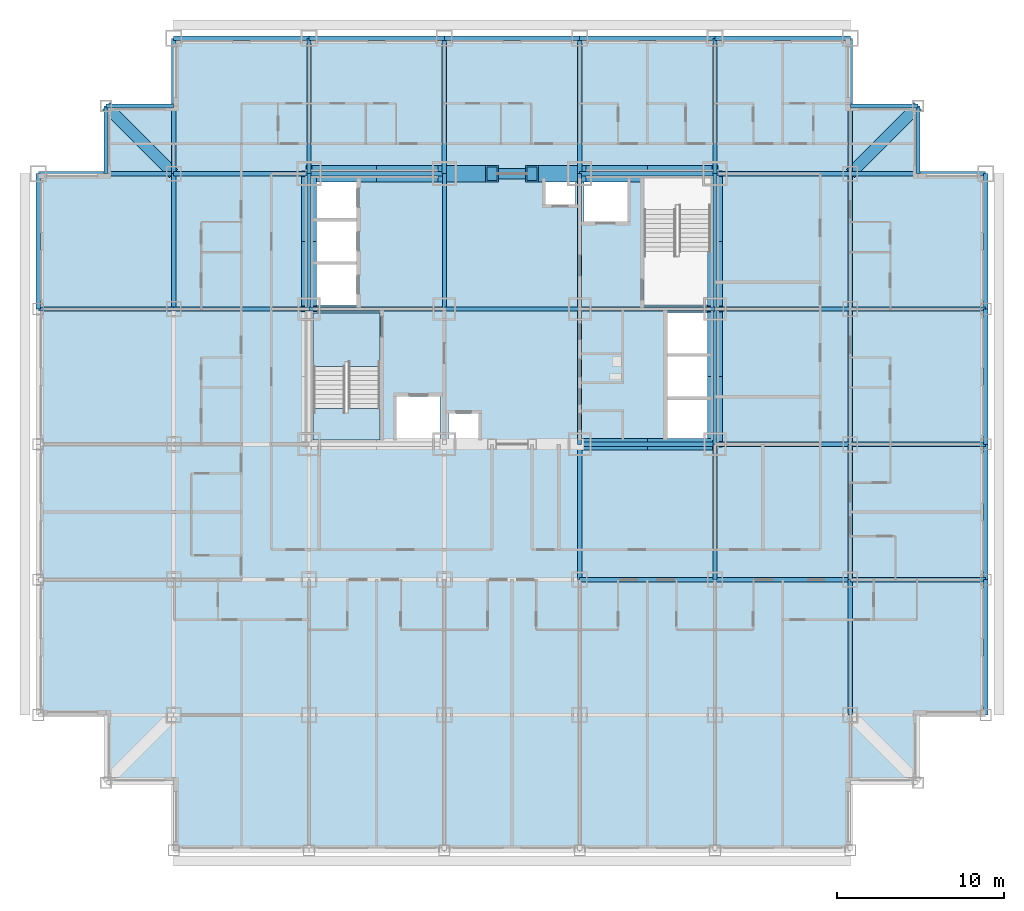
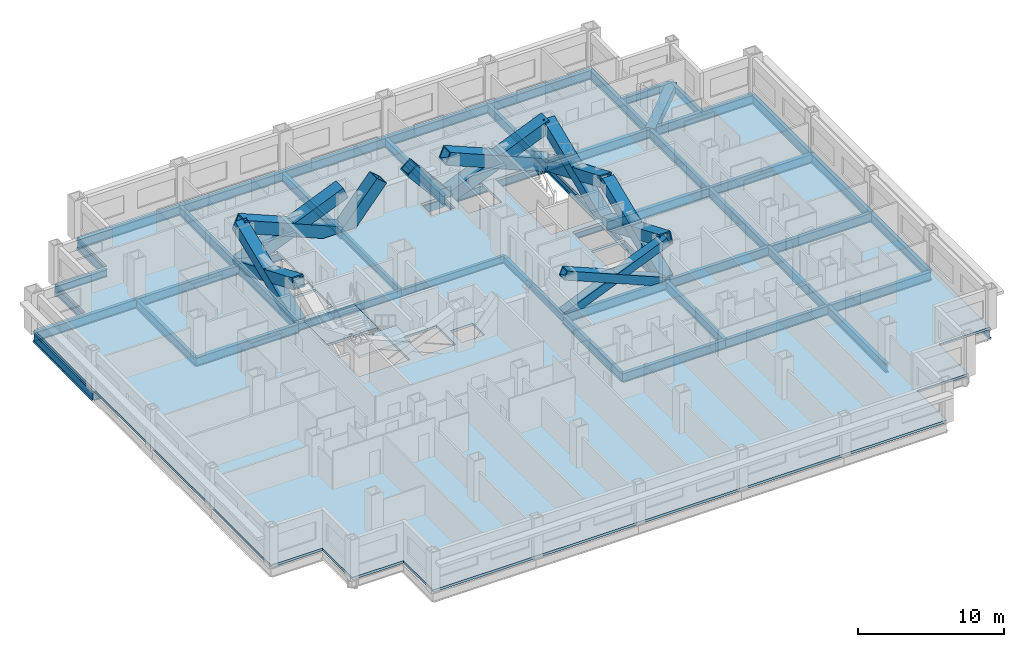
# One storey, part 2 of 12: 55 beams, 14 members, 3 slabs, 1 element without a shape of its own.
"""IFC4 building model written with IfcOpenShell, lengths in metres."""

from ifc_helpers import new_model, si_unit, direction, frame, origin, origin_2d, place, context, subcontext, project, spatial, polyline, hollow_rectangle, i_section, outline, extrude, material, layer, layer_set, material_profile, profile_set, type_object, element, aggregate, save


model = new_model("IFC4")

# Units and contexts
model_context = context("Model", 3, precision=1e-05, world=origin(), true_north=direction((0.0, 1.0)))
body_context = subcontext(model_context, "Body", "Model", "MODEL_VIEW")
ifc_project = project(units=[si_unit("LENGTHUNIT", "METRE"), si_unit("AREAUNIT", "SQUARE_METRE"), si_unit("VOLUMEUNIT", "CUBIC_METRE"), si_unit("PLANEANGLEUNIT", "RADIAN"), si_unit("MASSUNIT", "GRAM", prefix="KILO")], contexts=[model_context])

# Site, building, storey
site_placement = place(None, origin())
site = spatial("IfcSite", under=ifc_project, at=site_placement, CompositionType="ELEMENT")
building_placement = place(site_placement, origin())
building = spatial("IfcBuilding", under=site, at=building_placement, Name="Kopane Lantern Tower", CompositionType="ELEMENT")
storey_placement = place(building_placement, frame((0.0, 0.0, 80.60009765625)))
storey = spatial("IfcBuildingStorey", under=building, at=storey_placement, Name="L20", CompositionType="ELEMENT", Elevation=80.60009765625)

# Members
ifc_material_1 = material(Name="Steel S355JR", Category="steel")
ifc_material_profile_1 = material_profile(ifc_material_1, hollow_rectangle(XDim=1.0, YDim=1.0, WallThickness=0.10009765625, at=origin_2d()), Name="BOX 1000x1000x100")
ifc_profile_set_1 = profile_set([ifc_material_profile_1], Name="Steel S355JR")
member_type_1 = type_object("IfcMemberType", Name="BRACE BOX 1000x1000x100", PredefinedType="BRACE", material=ifc_profile_set_1)
for number, where, z_axis, x_axis, name in (
    (1, (16.199951171875, 40.5, -0.210205078125), (0.92205908274, 0.0, 0.387049154419), (0.0, 1.0, 0.0), "Core brace L20"),
    (2, (24.300048828125, 40.5, -0.210205078125), (-0.92205908274, 0.0, 0.387049154419), (0.0, -1.0, 0.0), "Core brace L20"),
):
    element("IfcMember", number, at=place(storey_placement, frame(where, z_axis=z_axis, x_axis=x_axis)), inside=storey, type_object=member_type_1, Name=name, PredefinedType="BRACE", context=body_context, shape_type="SweptSolid", body=[
        extrude(hollow_rectangle(XDim=1.0, YDim=1.0, WallThickness=0.10009765625, at=origin_2d()), origin(), (0.0, 0.0, 1.0), 8.784912109375),
    ])
for number, where, z_axis, x_axis, name in (
    (3, (24.300048828125, 40.5, -0.210205078125), (0.642363165114, 0.0, 0.766400394118), (0.0, 1.0, 0.0), "Core brace L20"),
    (4, (32.39990234375, 40.5, -0.210205078125), (-0.642363165114, 0.0, 0.766400394118), (0.0, -1.0, 0.0), "Core brace L20"),
):
    element("IfcMember", number, at=place(storey_placement, frame(where, z_axis=z_axis, x_axis=x_axis)), inside=storey, type_object=member_type_1, Name=name, PredefinedType="BRACE", context=body_context, shape_type="SweptSolid", body=[
        extrude(hollow_rectangle(XDim=1.0, YDim=1.0, WallThickness=0.10009765625, at=origin_2d()), origin(), (0.0, 0.0, 1.0), 4.4365234375),
    ])
for number, where, z_axis, x_axis, name in (
    (5, (32.39990234375, 40.5, -0.210205078125), (0.92205908274, 0.0, 0.387049154419), (0.0, 1.0, 0.0), "Core brace L20"),
    (6, (40.5, 40.5, -0.210205078125), (-0.92205908274, 0.0, 0.387049154419), (0.0, -1.0, 0.0), "Core brace L20"),
):
    element("IfcMember", number, at=place(storey_placement, frame(where, z_axis=z_axis, x_axis=x_axis)), inside=storey, type_object=member_type_1, Name=name, PredefinedType="BRACE", context=body_context, shape_type="SweptSolid", body=[
        extrude(hollow_rectangle(XDim=1.0, YDim=1.0, WallThickness=0.10009765625, at=origin_2d()), origin(), (0.0, 0.0, 1.0), 8.784912109375),
    ])
ifc_material_2 = material(Name="Steel S355JR", Category="steel")
ifc_material_profile_2 = material_profile(ifc_material_2, hollow_rectangle(XDim=0.699951171875, YDim=0.699951171875, WallThickness=0.06005859375, at=origin_2d()), Name="BOX 700x700x60")
ifc_profile_set_2 = profile_set([ifc_material_profile_2], Name="Steel S355JR")
member_type_2 = type_object("IfcMemberType", Name="BRACE BOX 700x700x60", PredefinedType="BRACE", material=ifc_profile_set_2)
for number, where, z_axis, x_axis, name in (
    (7, (32.39990234375, 24.300048828125, -0.210205078125), (0.92205908274, 0.0, 0.387049154419), (0.0, 1.0, 0.0), "Core brace L20"),
    (8, (40.5, 24.300048828125, -0.210205078125), (-0.92205908274, 0.0, 0.387049154419), (0.0, -1.0, 0.0), "Core brace L20"),
):
    element("IfcMember", number, at=place(storey_placement, frame(where, z_axis=z_axis, x_axis=x_axis)), inside=storey, type_object=member_type_2, Name=name, PredefinedType="BRACE", context=body_context, shape_type="SweptSolid", body=[
        extrude(hollow_rectangle(XDim=0.699951171875, YDim=0.699951171875, WallThickness=0.06005859375, at=origin_2d()), origin(), (0.0, 0.0, 1.0), 8.784912109375),
    ])
ifc_material_3 = material(Name="Steel S355JR", Category="steel")
ifc_material_profile_3 = material_profile(ifc_material_3, hollow_rectangle(XDim=0.89990234375, YDim=0.89990234375, WallThickness=0.090087890625, at=origin_2d()), Name="BOX 900x900x90")
ifc_profile_set_3 = profile_set([ifc_material_profile_3], Name="Steel S355JR")
member_type_3 = type_object("IfcMemberType", Name="BRACE BOX 900x900x90", PredefinedType="BRACE", material=ifc_profile_set_3)
for number, where, z_axis, x_axis, name in (
    (9, (16.199951171875, 32.39990234375, -0.210205078125), (0.0, 0.92205908274, 0.387049154419), (-1.0, 0.0, 0.0), "Core brace L20"),
    (10, (16.199951171875, 40.5, -0.210205078125), (0.0, -0.92205908274, 0.387049154419), (1.0, 0.0, 0.0), "Core brace L20"),
):
    element("IfcMember", number, at=place(storey_placement, frame(where, z_axis=z_axis, x_axis=x_axis)), inside=storey, type_object=member_type_3, Name=name, PredefinedType="BRACE", context=body_context, shape_type="SweptSolid", body=[
        extrude(hollow_rectangle(XDim=0.89990234375, YDim=0.89990234375, WallThickness=0.090087890625, at=origin_2d()), origin(), (0.0, 0.0, 1.0), 8.784912109375),
    ])
for number, where, z_axis, x_axis, name in (
    (11, (40.5, 24.300048828125, -0.210205078125), (0.0, 0.92205491925, 0.387059072864), (-1.0, 0.0, 0.0), "Core brace L20"),
    (12, (40.5, 32.39990234375, -0.210205078125), (0.0, -0.92205491925, 0.387059072864), (1.0, 0.0, 0.0), "Core brace L20"),
):
    element("IfcMember", number, at=place(storey_placement, frame(where, z_axis=z_axis, x_axis=x_axis)), inside=storey, type_object=member_type_3, Name=name, PredefinedType="BRACE", context=body_context, shape_type="SweptSolid", body=[
        extrude(hollow_rectangle(XDim=0.89990234375, YDim=0.89990234375, WallThickness=0.090087890625, at=origin_2d()), origin(), (0.0, 0.0, 1.0), 8.78466796875),
    ])
for number, where, z_axis, x_axis, name in (
    (13, (40.5, 32.39990234375, -0.210205078125), (0.0, 0.92205908274, 0.387049154419), (-1.0, 0.0, 0.0), "Core brace L20"),
    (14, (40.5, 40.5, -0.210205078125), (0.0, -0.92205908274, 0.387049154419), (1.0, 0.0, 0.0), "Core brace L20"),
):
    element("IfcMember", number, at=place(storey_placement, frame(where, z_axis=z_axis, x_axis=x_axis)), inside=storey, type_object=member_type_3, Name=name, PredefinedType="BRACE", context=body_context, shape_type="SweptSolid", body=[
        extrude(hollow_rectangle(XDim=0.89990234375, YDim=0.89990234375, WallThickness=0.090087890625, at=origin_2d()), origin(), (0.0, 0.0, 1.0), 8.784912109375),
    ])

# Beams
ifc_material_4 = material(Name="Steel S355JR", Category="steel")
ifc_material_profile_4 = material_profile(ifc_material_4, i_section(OverallWidth=0.22900390625, OverallDepth=0.6123046875, WebThickness=0.011962890625, FlangeThickness=0.01953125, FilletRadius=0.0126953125, at=origin_2d()), Name="UB 610x229x125")
ifc_profile_set_4 = profile_set([ifc_material_profile_4], Name="Steel S355JR")
beam_type_1 = type_object("IfcBeamType", Name="CORE BEAM UB 610x229x125", PredefinedType="BEAM", material=ifc_profile_set_4)
for number, where, z_axis, x_axis, name in (
    (15, (16.199951171875, 32.39990234375, -0.51611328125), (1.0, 0.0, 0.0), (0.0, 1.0, 0.0), "Core Beam L20"),
    (16, (24.300048828125, 32.39990234375, -0.51611328125), (0.0, 1.0, 0.0), (-1.0, 0.0, 0.0), "Core Beam L20"),
):
    element("IfcBeam", number, at=place(storey_placement, frame(where, z_axis=z_axis, x_axis=x_axis)), inside=storey, type_object=beam_type_1, Name=name, PredefinedType="BEAM", context=body_context, shape_type="SweptSolid", body=[
        extrude(i_section(OverallWidth=0.22900390625, OverallDepth=0.6123046875, WebThickness=0.011962890625, FlangeThickness=0.01953125, FilletRadius=0.0126953125, at=origin_2d()), origin(), (0.0, 0.0, 1.0), 8.10009765625),
    ])
for number, where, z_axis, x_axis, name in (
    (17, (24.300048828125, 32.39990234375, -0.51611328125), (1.0, 0.0, 0.0), (0.0, 1.0, 0.0), "Core Beam L20"),
    (18, (32.39990234375, 24.300048828125, -0.51611328125), (0.0, 1.0, 0.0), (-1.0, 0.0, 0.0), "Core Beam L20"),
):
    element("IfcBeam", number, at=place(storey_placement, frame(where, z_axis=z_axis, x_axis=x_axis)), inside=storey, type_object=beam_type_1, Name=name, PredefinedType="BEAM", context=body_context, shape_type="SweptSolid", body=[
        extrude(i_section(OverallWidth=0.22900390625, OverallDepth=0.6123046875, WebThickness=0.011962890625, FlangeThickness=0.01953125, FilletRadius=0.0126953125, at=origin_2d()), origin(), (0.0, 0.0, 1.0), 8.099853515625),
    ])
for number, where, z_axis, x_axis, name in (
    (19, (32.39990234375, 32.39990234375, -0.51611328125), (0.0, 1.0, 0.0), (-1.0, 0.0, 0.0), "Core Beam L20"),
    (20, (32.39990234375, 32.39990234375, -0.51611328125), (1.0, 0.0, 0.0), (0.0, 1.0, 0.0), "Core Beam L20"),
):
    element("IfcBeam", number, at=place(storey_placement, frame(where, z_axis=z_axis, x_axis=x_axis)), inside=storey, type_object=beam_type_1, Name=name, PredefinedType="BEAM", context=body_context, shape_type="SweptSolid", body=[
        extrude(i_section(OverallWidth=0.22900390625, OverallDepth=0.6123046875, WebThickness=0.011962890625, FlangeThickness=0.01953125, FilletRadius=0.0126953125, at=origin_2d()), origin(), (0.0, 0.0, 1.0), 8.10009765625),
    ])
ifc_material_5 = material(Name="Steel S355JR", Category="steel")
ifc_material_profile_5 = material_profile(ifc_material_5, hollow_rectangle(XDim=0.699951171875, YDim=0.699951171875, WallThickness=0.06005859375, at=origin_2d()), Name="BOX 700x700x60")
ifc_profile_set_5 = profile_set([ifc_material_profile_5], Name="Steel S355JR")
beam_type_2 = type_object("IfcBeamType", Name="CORNER TIE BEAM BOX 700x700x60", PredefinedType="BEAM", material=ifc_profile_set_5)
for number, where, z_axis, x_axis, name in (
    (21, (4.050048828125, 44.550048828125, -0.56005859375), (0.707106781187, -0.707106781187, 0.0), (0.707106781187, 0.707106781187, 0.0), "Corner Tie Beam L20"),
    (22, (52.64990234375, 44.550048828125, -0.56005859375), (-0.707085467703, -0.707128094028, 0.0), (0.707128094028, -0.707085467703, 0.0), "Corner Tie Beam L20"),
):
    element("IfcBeam", number, at=place(storey_placement, frame(where, z_axis=z_axis, x_axis=x_axis)), inside=storey, type_object=beam_type_2, Name=name, PredefinedType="BEAM", context=body_context, shape_type="SweptSolid", body=[
        extrude(hollow_rectangle(XDim=0.699951171875, YDim=0.699951171875, WallThickness=0.06005859375, at=origin_2d()), origin(), (0.0, 0.0, 1.0), 5.7275390625),
    ])
ifc_material_6 = material(Name="Steel S355JR", Category="steel")
ifc_material_profile_6 = material_profile(ifc_material_6, i_section(OverallWidth=0.22900390625, OverallDepth=0.6123046875, WebThickness=0.011962890625, FlangeThickness=0.01953125, FilletRadius=0.0126953125, at=origin_2d()), Name="UB 610x229x125")
ifc_profile_set_6 = profile_set([ifc_material_profile_6], Name="Steel S355JR")
beam_type_3 = type_object("IfcBeamType", Name="EDGE BEAM UB 610x229x125", PredefinedType="BEAM", material=ifc_profile_set_6)
for number, where, z_axis, x_axis, name in (
    (23, (4.050048828125, 44.550048828125, -0.51611328125), (0.0, -1.0, 0.0), (1.0, 0.0, 0.0), "Edge Beam L20"),
    (24, (4.050048828125, 44.550048828125, -0.51611328125), (1.0, 0.0, 0.0), (0.0, 1.0, 0.0), "Edge Beam L20"),
):
    element("IfcBeam", number, at=place(storey_placement, frame(where, z_axis=z_axis, x_axis=x_axis)), inside=storey, type_object=beam_type_3, Name=name, PredefinedType="BEAM", context=body_context, shape_type="SweptSolid", body=[
        extrude(i_section(OverallWidth=0.22900390625, OverallDepth=0.6123046875, WebThickness=0.011962890625, FlangeThickness=0.01953125, FilletRadius=0.0126953125, at=origin_2d()), origin(), (0.0, 0.0, 1.0), 4.050048828125),
    ])
beam_1_placement = place(storey_placement, frame((52.64990234375, 44.550048828125, -0.51611328125), z_axis=(-1.0, 0.0, 0.0), x_axis=(0.0, -1.0, 0.0)))
element("IfcBeam", 25, at=beam_1_placement, inside=storey, type_object=beam_type_3, Name="Edge Beam L20", PredefinedType="BEAM", context=body_context, shape_type="SweptSolid", body=[
    extrude(i_section(OverallWidth=0.22900390625, OverallDepth=0.6123046875, WebThickness=0.011962890625, FlangeThickness=0.01953125, FilletRadius=0.0126953125, at=origin_2d()), origin(), (0.0, 0.0, 1.0), 4.0498046875),
])
beam_2_placement = place(storey_placement, frame((52.64990234375, 44.550048828125, -0.51611328125), z_axis=(0.0, -1.0, 0.0), x_axis=(1.0, 0.0, 0.0)))
element("IfcBeam", 26, at=beam_2_placement, inside=storey, type_object=beam_type_3, Name="Edge Beam L20", PredefinedType="BEAM", context=body_context, shape_type="SweptSolid", body=[
    extrude(i_section(OverallWidth=0.22900390625, OverallDepth=0.6123046875, WebThickness=0.011962890625, FlangeThickness=0.01953125, FilletRadius=0.0126953125, at=origin_2d()), origin(), (0.0, 0.0, 1.0), 4.050048828125),
])
ifc_material_7 = material(Name="Steel S355JR", Category="steel")
ifc_material_profile_7 = material_profile(ifc_material_7, i_section(OverallWidth=0.2666015625, OverallDepth=0.76220703125, WebThickness=0.014404296875, FlangeThickness=0.021484375, FilletRadius=0.0166015625, at=origin_2d()), Name="UB 762x267x173")
ifc_profile_set_7 = profile_set([ifc_material_profile_7], Name="Steel S355JR")
beam_type_4 = type_object("IfcBeamType", Name="GIRDER UB 762x267x173", PredefinedType="BEAM", material=ifc_profile_set_7)
for number, where, z_axis, x_axis, name in (
    (27, (0.0, 32.39990234375, -0.59130859375), (0.0, 1.0, 0.0), (-1.0, 0.0, 0.0), "Girder L20"),
    (28, (0.0, 32.39990234375, -0.59130859375), (1.0, 0.0, 0.0), (0.0, 1.0, 0.0), "Girder L20"),
    (29, (0.0, 40.5, -0.59130859375), (1.0, 0.0, 0.0), (0.0, 1.0, 0.0), "Girder L20"),
    (30, (8.10009765625, 32.39990234375, -0.59130859375), (0.0, 1.0, 0.0), (-1.0, 0.0, 0.0), "Girder L20"),
):
    element("IfcBeam", number, at=place(storey_placement, frame(where, z_axis=z_axis, x_axis=x_axis)), inside=storey, type_object=beam_type_4, Name=name, PredefinedType="BEAM", context=body_context, shape_type="SweptSolid", body=[
        extrude(i_section(OverallWidth=0.2666015625, OverallDepth=0.76220703125, WebThickness=0.014404296875, FlangeThickness=0.021484375, FilletRadius=0.0166015625, at=origin_2d()), origin(), (0.0, 0.0, 1.0), 8.10009765625),
    ])
beam_3_placement = place(storey_placement, frame((8.10009765625, 32.39990234375, -0.59130859375), z_axis=(1.0, 0.0, 0.0), x_axis=(0.0, 1.0, 0.0)))
element("IfcBeam", 31, at=beam_3_placement, inside=storey, type_object=beam_type_4, Name="Girder L20", PredefinedType="BEAM", context=body_context, shape_type="SweptSolid", body=[
    extrude(i_section(OverallWidth=0.2666015625, OverallDepth=0.76220703125, WebThickness=0.014404296875, FlangeThickness=0.021484375, FilletRadius=0.0166015625, at=origin_2d()), origin(), (0.0, 0.0, 1.0), 8.099853515625),
])
beam_4_placement = place(storey_placement, frame((8.10009765625, 40.5, -0.59130859375), z_axis=(0.0, 1.0, 0.0), x_axis=(-1.0, 0.0, 0.0)))
element("IfcBeam", 32, at=beam_4_placement, inside=storey, type_object=beam_type_4, Name="Girder L20", PredefinedType="BEAM", context=body_context, shape_type="SweptSolid", body=[
    extrude(i_section(OverallWidth=0.2666015625, OverallDepth=0.76220703125, WebThickness=0.014404296875, FlangeThickness=0.021484375, FilletRadius=0.0166015625, at=origin_2d()), origin(), (0.0, 0.0, 1.0), 8.10009765625),
])
for number, where, z_axis, x_axis, name in (
    (33, (8.10009765625, 40.5, -0.59130859375), (1.0, 0.0, 0.0), (0.0, 1.0, 0.0), "Girder L20"),
    (34, (8.10009765625, 48.60009765625, -0.59130859375), (1.0, 0.0, 0.0), (0.0, 1.0, 0.0), "Girder L20"),
):
    element("IfcBeam", number, at=place(storey_placement, frame(where, z_axis=z_axis, x_axis=x_axis)), inside=storey, type_object=beam_type_4, Name=name, PredefinedType="BEAM", context=body_context, shape_type="SweptSolid", body=[
        extrude(i_section(OverallWidth=0.2666015625, OverallDepth=0.76220703125, WebThickness=0.014404296875, FlangeThickness=0.021484375, FilletRadius=0.0166015625, at=origin_2d()), origin(), (0.0, 0.0, 1.0), 8.099853515625),
    ])
for number, where, z_axis, x_axis, name in (
    (35, (16.199951171875, 32.39990234375, -0.59130859375), (0.0, 1.0, 0.0), (-1.0, 0.0, 0.0), "Girder L20"),
    (36, (16.199951171875, 40.5, -0.59130859375), (0.0, 1.0, 0.0), (-1.0, 0.0, 0.0), "Girder L20"),
    (37, (16.199951171875, 40.5, -0.59130859375), (1.0, 0.0, 0.0), (0.0, 1.0, 0.0), "Girder L20"),
    (38, (16.199951171875, 48.60009765625, -0.59130859375), (1.0, 0.0, 0.0), (0.0, 1.0, 0.0), "Girder L20"),
    (39, (24.300048828125, 40.5, -0.59130859375), (0.0, 1.0, 0.0), (-1.0, 0.0, 0.0), "Girder L20"),
):
    element("IfcBeam", number, at=place(storey_placement, frame(where, z_axis=z_axis, x_axis=x_axis)), inside=storey, type_object=beam_type_4, Name=name, PredefinedType="BEAM", context=body_context, shape_type="SweptSolid", body=[
        extrude(i_section(OverallWidth=0.2666015625, OverallDepth=0.76220703125, WebThickness=0.014404296875, FlangeThickness=0.021484375, FilletRadius=0.0166015625, at=origin_2d()), origin(), (0.0, 0.0, 1.0), 8.10009765625),
    ])
beam_5_placement = place(storey_placement, frame((24.300048828125, 48.60009765625, -0.59130859375), z_axis=(1.0, 0.0, 0.0), x_axis=(0.0, 1.0, 0.0)))
element("IfcBeam", 40, at=beam_5_placement, inside=storey, type_object=beam_type_4, Name="Girder L20", PredefinedType="BEAM", context=body_context, shape_type="SweptSolid", body=[
    extrude(i_section(OverallWidth=0.2666015625, OverallDepth=0.76220703125, WebThickness=0.014404296875, FlangeThickness=0.021484375, FilletRadius=0.0166015625, at=origin_2d()), origin(), (0.0, 0.0, 1.0), 8.099853515625),
])
for number, where, z_axis, x_axis, name in (
    (41, (32.39990234375, 16.199951171875, -0.59130859375), (0.0, 1.0, 0.0), (-1.0, 0.0, 0.0), "Girder L20"),
    (42, (32.39990234375, 16.199951171875, -0.59130859375), (1.0, 0.0, 0.0), (0.0, 1.0, 0.0), "Girder L20"),
    (43, (32.39990234375, 24.300048828125, -0.59130859375), (1.0, 0.0, 0.0), (0.0, 1.0, 0.0), "Girder L20"),
    (44, (32.39990234375, 40.5, -0.59130859375), (0.0, 1.0, 0.0), (-1.0, 0.0, 0.0), "Girder L20"),
    (45, (32.39990234375, 40.5, -0.59130859375), (1.0, 0.0, 0.0), (0.0, 1.0, 0.0), "Girder L20"),
    (46, (32.39990234375, 48.60009765625, -0.59130859375), (1.0, 0.0, 0.0), (0.0, 1.0, 0.0), "Girder L20"),
    (47, (40.5, 16.199951171875, -0.59130859375), (0.0, 1.0, 0.0), (-1.0, 0.0, 0.0), "Girder L20"),
    (48, (40.5, 16.199951171875, -0.59130859375), (1.0, 0.0, 0.0), (0.0, 1.0, 0.0), "Girder L20"),
):
    element("IfcBeam", number, at=place(storey_placement, frame(where, z_axis=z_axis, x_axis=x_axis)), inside=storey, type_object=beam_type_4, Name=name, PredefinedType="BEAM", context=body_context, shape_type="SweptSolid", body=[
        extrude(i_section(OverallWidth=0.2666015625, OverallDepth=0.76220703125, WebThickness=0.014404296875, FlangeThickness=0.021484375, FilletRadius=0.0166015625, at=origin_2d()), origin(), (0.0, 0.0, 1.0), 8.10009765625),
    ])
beam_6_placement = place(storey_placement, frame((40.5, 24.300048828125, -0.59130859375), z_axis=(0.0, 1.0, 0.0), x_axis=(-1.0, 0.0, 0.0)))
element("IfcBeam", 49, at=beam_6_placement, inside=storey, type_object=beam_type_4, Name="Girder L20", PredefinedType="BEAM", context=body_context, shape_type="SweptSolid", body=[
    extrude(i_section(OverallWidth=0.2666015625, OverallDepth=0.76220703125, WebThickness=0.014404296875, FlangeThickness=0.021484375, FilletRadius=0.0166015625, at=origin_2d()), origin(), (0.0, 0.0, 1.0), 8.099853515625),
])
for number, where, z_axis, x_axis, name in (
    (50, (40.5, 24.300048828125, -0.59130859375), (1.0, 0.0, 0.0), (0.0, 1.0, 0.0), "Girder L20"),
    (51, (40.5, 32.39990234375, -0.59130859375), (0.0, 1.0, 0.0), (-1.0, 0.0, 0.0), "Girder L20"),
    (52, (40.5, 32.39990234375, -0.59130859375), (1.0, 0.0, 0.0), (0.0, 1.0, 0.0), "Girder L20"),
    (53, (40.5, 40.5, -0.59130859375), (0.0, 1.0, 0.0), (-1.0, 0.0, 0.0), "Girder L20"),
    (54, (40.5, 40.5, -0.59130859375), (1.0, 0.0, 0.0), (0.0, 1.0, 0.0), "Girder L20"),
    (55, (40.5, 48.60009765625, -0.59130859375), (1.0, 0.0, 0.0), (0.0, 1.0, 0.0), "Girder L20"),
):
    element("IfcBeam", number, at=place(storey_placement, frame(where, z_axis=z_axis, x_axis=x_axis)), inside=storey, type_object=beam_type_4, Name=name, PredefinedType="BEAM", context=body_context, shape_type="SweptSolid", body=[
        extrude(i_section(OverallWidth=0.2666015625, OverallDepth=0.76220703125, WebThickness=0.014404296875, FlangeThickness=0.021484375, FilletRadius=0.0166015625, at=origin_2d()), origin(), (0.0, 0.0, 1.0), 8.10009765625),
    ])
beam_7_placement = place(storey_placement, frame((48.60009765625, 8.10009765625, -0.59130859375), z_axis=(0.0, 1.0, 0.0), x_axis=(-1.0, 0.0, 0.0)))
element("IfcBeam", 56, at=beam_7_placement, inside=storey, type_object=beam_type_4, Name="Girder L20", PredefinedType="BEAM", context=body_context, shape_type="SweptSolid", body=[
    extrude(i_section(OverallWidth=0.2666015625, OverallDepth=0.76220703125, WebThickness=0.014404296875, FlangeThickness=0.021484375, FilletRadius=0.0166015625, at=origin_2d()), origin(), (0.0, 0.0, 1.0), 8.099853515625),
])
beam_8_placement = place(storey_placement, frame((48.60009765625, 16.199951171875, -0.59130859375), z_axis=(0.0, 1.0, 0.0), x_axis=(-1.0, 0.0, 0.0)))
element("IfcBeam", 57, at=beam_8_placement, inside=storey, type_object=beam_type_4, Name="Girder L20", PredefinedType="BEAM", context=body_context, shape_type="SweptSolid", body=[
    extrude(i_section(OverallWidth=0.2666015625, OverallDepth=0.76220703125, WebThickness=0.014404296875, FlangeThickness=0.021484375, FilletRadius=0.0166015625, at=origin_2d()), origin(), (0.0, 0.0, 1.0), 8.10009765625),
])
for number, where, z_axis, x_axis, name in (
    (58, (48.60009765625, 16.199951171875, -0.59130859375), (1.0, 0.0, 0.0), (0.0, 1.0, 0.0), "Girder L20"),
    (59, (48.60009765625, 24.300048828125, -0.59130859375), (0.0, 1.0, 0.0), (-1.0, 0.0, 0.0), "Girder L20"),
    (60, (48.60009765625, 24.300048828125, -0.59130859375), (1.0, 0.0, 0.0), (0.0, 1.0, 0.0), "Girder L20"),
):
    element("IfcBeam", number, at=place(storey_placement, frame(where, z_axis=z_axis, x_axis=x_axis)), inside=storey, type_object=beam_type_4, Name=name, PredefinedType="BEAM", context=body_context, shape_type="SweptSolid", body=[
        extrude(i_section(OverallWidth=0.2666015625, OverallDepth=0.76220703125, WebThickness=0.014404296875, FlangeThickness=0.021484375, FilletRadius=0.0166015625, at=origin_2d()), origin(), (0.0, 0.0, 1.0), 8.099853515625),
    ])
beam_9_placement = place(storey_placement, frame((48.60009765625, 32.39990234375, -0.59130859375), z_axis=(0.0, 1.0, 0.0), x_axis=(-1.0, 0.0, 0.0)))
element("IfcBeam", 61, at=beam_9_placement, inside=storey, type_object=beam_type_4, Name="Girder L20", PredefinedType="BEAM", context=body_context, shape_type="SweptSolid", body=[
    extrude(i_section(OverallWidth=0.2666015625, OverallDepth=0.76220703125, WebThickness=0.014404296875, FlangeThickness=0.021484375, FilletRadius=0.0166015625, at=origin_2d()), origin(), (0.0, 0.0, 1.0), 8.10009765625),
])
beam_10_placement = place(storey_placement, frame((48.60009765625, 32.39990234375, -0.59130859375), z_axis=(1.0, 0.0, 0.0), x_axis=(0.0, 1.0, 0.0)))
element("IfcBeam", 62, at=beam_10_placement, inside=storey, type_object=beam_type_4, Name="Girder L20", PredefinedType="BEAM", context=body_context, shape_type="SweptSolid", body=[
    extrude(i_section(OverallWidth=0.2666015625, OverallDepth=0.76220703125, WebThickness=0.014404296875, FlangeThickness=0.021484375, FilletRadius=0.0166015625, at=origin_2d()), origin(), (0.0, 0.0, 1.0), 8.099853515625),
])
beam_11_placement = place(storey_placement, frame((48.60009765625, 40.5, -0.59130859375), z_axis=(0.0, 1.0, 0.0), x_axis=(-1.0, 0.0, 0.0)))
element("IfcBeam", 63, at=beam_11_placement, inside=storey, type_object=beam_type_4, Name="Girder L20", PredefinedType="BEAM", context=body_context, shape_type="SweptSolid", body=[
    extrude(i_section(OverallWidth=0.2666015625, OverallDepth=0.76220703125, WebThickness=0.014404296875, FlangeThickness=0.021484375, FilletRadius=0.0166015625, at=origin_2d()), origin(), (0.0, 0.0, 1.0), 8.10009765625),
])
for number, where, z_axis, x_axis, name in (
    (64, (48.60009765625, 40.5, -0.59130859375), (1.0, 0.0, 0.0), (0.0, 1.0, 0.0), "Girder L20"),
    (65, (56.699951171875, 8.10009765625, -0.59130859375), (0.0, 1.0, 0.0), (-1.0, 0.0, 0.0), "Girder L20"),
):
    element("IfcBeam", number, at=place(storey_placement, frame(where, z_axis=z_axis, x_axis=x_axis)), inside=storey, type_object=beam_type_4, Name=name, PredefinedType="BEAM", context=body_context, shape_type="SweptSolid", body=[
        extrude(i_section(OverallWidth=0.2666015625, OverallDepth=0.76220703125, WebThickness=0.014404296875, FlangeThickness=0.021484375, FilletRadius=0.0166015625, at=origin_2d()), origin(), (0.0, 0.0, 1.0), 8.099853515625),
    ])
beam_12_placement = place(storey_placement, frame((56.699951171875, 16.199951171875, -0.59130859375), z_axis=(0.0, 1.0, 0.0), x_axis=(-1.0, 0.0, 0.0)))
element("IfcBeam", 66, at=beam_12_placement, inside=storey, type_object=beam_type_4, Name="Girder L20", PredefinedType="BEAM", context=body_context, shape_type="SweptSolid", body=[
    extrude(i_section(OverallWidth=0.2666015625, OverallDepth=0.76220703125, WebThickness=0.014404296875, FlangeThickness=0.021484375, FilletRadius=0.0166015625, at=origin_2d()), origin(), (0.0, 0.0, 1.0), 8.10009765625),
])
beam_13_placement = place(storey_placement, frame((56.699951171875, 24.300048828125, -0.59130859375), z_axis=(0.0, 1.0, 0.0), x_axis=(-1.0, 0.0, 0.0)))
element("IfcBeam", 67, at=beam_13_placement, inside=storey, type_object=beam_type_4, Name="Girder L20", PredefinedType="BEAM", context=body_context, shape_type="SweptSolid", body=[
    extrude(i_section(OverallWidth=0.2666015625, OverallDepth=0.76220703125, WebThickness=0.014404296875, FlangeThickness=0.021484375, FilletRadius=0.0166015625, at=origin_2d()), origin(), (0.0, 0.0, 1.0), 8.099853515625),
])
beam_14_placement = place(storey_placement, frame((56.699951171875, 32.39990234375, -0.59130859375), z_axis=(0.0, 1.0, 0.0), x_axis=(-1.0, 0.0, 0.0)))
element("IfcBeam", 68, at=beam_14_placement, inside=storey, type_object=beam_type_4, Name="Girder L20", PredefinedType="BEAM", context=body_context, shape_type="SweptSolid", body=[
    extrude(i_section(OverallWidth=0.2666015625, OverallDepth=0.76220703125, WebThickness=0.014404296875, FlangeThickness=0.021484375, FilletRadius=0.0166015625, at=origin_2d()), origin(), (0.0, 0.0, 1.0), 8.10009765625),
])
ifc_material_8 = material(Name="Steel S355JR", Category="steel")
ifc_material_profile_8 = material_profile(ifc_material_8, hollow_rectangle(XDim=0.64990234375, YDim=0.64990234375, WallThickness=0.070068359375, at=origin_2d()), Name="BOX 650x650x70")
ifc_profile_set_8 = profile_set([ifc_material_profile_8], Name="Steel S355JR")
beam_type_5 = type_object("IfcBeamType", Name="LINK BEAM BOX 650x650x70", PredefinedType="BEAM", material=ifc_profile_set_8)
beam_15_placement = place(storey_placement, frame((24.300048828125, 40.5, -0.53515625), z_axis=(1.0, 0.0, 0.0), x_axis=(0.0, 1.0, 0.0)))
element("IfcBeam", 69, at=beam_15_placement, inside=storey, type_object=beam_type_5, Name="Link Beam L20", PredefinedType="BEAM", context=body_context, shape_type="SweptSolid", body=[
    extrude(hollow_rectangle(XDim=0.64990234375, YDim=0.64990234375, WallThickness=0.070068359375, at=origin_2d()), origin(), (0.0, 0.0, 1.0), 8.099853515625),
])

# Slab
ifc_material_9 = material(Name="Concrete C40/50", Category="concrete")
ifc_layer_1 = layer(ifc_material_9, 0.2099609375)
ifc_layer_set_1 = layer_set([ifc_layer_1], Name="SLAB 210 COMPOSITE")
slab_type_1 = type_object("IfcSlabType", Name="SLAB 210 COMPOSITE", PredefinedType="FLOOR", material=ifc_layer_set_1)
slab_1_placement = place(storey_placement, frame((0.0, 0.0, -0.210205078125)))
element("IfcSlab", 70, at=slab_1_placement, inside=storey, type_object=slab_type_1, Name="Floor slab L20", PredefinedType="FLOOR", context=body_context, shape_type="SweptSolid", body=[
    extrude(outline(polyline([(8.10009765625, 0.0), (48.60009765625, 0.0), (48.60009765625, 4.050048828125), (52.64990234375, 4.050048828125), (52.64990234375, 8.10009765625), (56.699951171875, 8.10009765625), (56.699951171875, 40.5), (52.64990234375, 40.5), (52.64990234375, 44.550048828125), (48.60009765625, 44.550048828125), (48.60009765625, 48.60009765625), (8.10009765625, 48.60009765625), (8.10009765625, 44.550048828125), (4.050048828125, 44.550048828125), (4.050048828125, 40.5), (0.0, 40.5), (0.0, 8.10009765625), (4.050048828125, 8.10009765625), (4.050048828125, 4.050048828125), (8.10009765625, 4.050048828125), (8.10009765625, 0.0)]), holes=[polyline([(16.449951171875, 24.550048828125), (20.449951171875, 24.550048828125), (20.449951171875, 32.14990234375), (16.449951171875, 32.14990234375), (16.449951171875, 24.550048828125)]), polyline([(36.25, 32.64990234375), (40.25, 32.64990234375), (40.25, 40.25), (36.25, 40.25), (36.25, 32.64990234375)]), polyline([(16.449951171875, 32.64990234375), (19.050048828125, 32.64990234375), (19.050048828125, 35.050048828125), (16.449951171875, 35.050048828125), (16.449951171875, 32.64990234375)]), polyline([(16.449951171875, 35.25), (19.050048828125, 35.25), (19.050048828125, 37.64990234375), (16.449951171875, 37.64990234375), (16.449951171875, 35.25)]), polyline([(16.449951171875, 37.85009765625), (19.050048828125, 37.85009765625), (19.050048828125, 40.25), (16.449951171875, 40.25), (16.449951171875, 37.85009765625)]), polyline([(37.64990234375, 24.550048828125), (40.25, 24.550048828125), (40.25, 26.949951171875), (37.64990234375, 26.949951171875), (37.64990234375, 24.550048828125)]), polyline([(37.64990234375, 27.14990234375), (40.25, 27.14990234375), (40.25, 29.550048828125), (37.64990234375, 29.550048828125), (37.64990234375, 27.14990234375)]), polyline([(37.64990234375, 29.75), (40.25, 29.75), (40.25, 32.14990234375), (37.64990234375, 32.14990234375), (37.64990234375, 29.75)]), polyline([(21.449951171875, 24.550048828125), (24.050048828125, 24.550048828125), (24.050048828125, 27.14990234375), (21.449951171875, 27.14990234375), (21.449951171875, 24.550048828125)]), polyline([(32.64990234375, 37.64990234375), (35.25, 37.64990234375), (35.25, 40.25), (32.64990234375, 40.25), (32.64990234375, 37.64990234375)]), polyline([(24.550048828125, 24.550048828125), (26.35009765625, 24.550048828125), (26.35009765625, 26.14990234375), (24.550048828125, 26.14990234375), (24.550048828125, 24.550048828125)]), polyline([(30.35009765625, 38.64990234375), (32.14990234375, 38.64990234375), (32.14990234375, 40.25), (30.35009765625, 40.25), (30.35009765625, 38.64990234375)])]), origin(), (0.0, 0.0, 1.0), 0.210205078125),
])

# Stair, slabs
ifc_material_10 = material(Name="Steel S355JR", Category="steel")
stair_type = type_object("IfcStairType", Name="EXIT STAIR 1900 HALF TURN", PredefinedType="HALF_TURN_STAIR", material=ifc_material_10)
stair_placement = place(storey_placement, origin())
stair = element("IfcStair", 71, at=stair_placement, inside=storey, type_object=stair_type, Name="Exit stair ST1 L20", PredefinedType="HALF_TURN_STAIR")
ifc_material_11 = material(Name="Concrete C40/50", Category="concrete")
ifc_layer_2 = layer(ifc_material_11, 0.199951171875)
ifc_layer_set_2 = layer_set([ifc_layer_2], Name="STAIR LANDING 200")
slab_type_2 = type_object("IfcSlabType", Name="STAIR LANDING 200", PredefinedType="LANDING", material=ifc_layer_set_2)
slab_2_placement = place(storey_placement, frame((0.0, 0.0, -0.2001953125)))
slab_2 = element("IfcSlab", 72, at=slab_2_placement, type_object=slab_type_2, Name="ST1 landing 1", PredefinedType="LANDING", context=body_context, shape_type="SweptSolid", body=[
    extrude(outline(polyline([(18.35009765625, 29.25), (18.550048828125, 29.25), (18.550048828125, 28.969970703125), (20.449951171875, 28.969970703125), (20.449951171875, 32.14990234375), (16.449951171875, 32.14990234375), (16.449951171875, 28.969970703125), (18.35009765625, 28.969970703125), (18.35009765625, 29.25)])), origin(), (0.0, 0.0, 1.0), 0.2001953125),
])
slab_3_placement = place(storey_placement, frame((0.0, 0.0, 1.5)))
slab_3 = element("IfcSlab", 73, at=slab_3_placement, type_object=slab_type_2, Name="ST1 landing 2", PredefinedType="LANDING", context=body_context, shape_type="SweptSolid", body=[
    extrude(outline(polyline([(20.449951171875, 26.449951171875), (18.550048828125, 26.449951171875), (18.550048828125, 26.169921875), (18.35009765625, 26.169921875), (18.35009765625, 26.449951171875), (16.449951171875, 26.449951171875), (16.449951171875, 24.550048828125), (20.449951171875, 24.550048828125), (20.449951171875, 26.449951171875)])), origin(), (0.0, 0.0, 1.0), 0.199951171875),
])
aggregate(stair, [slab_2, slab_3])

save(model, "model.ifc")
